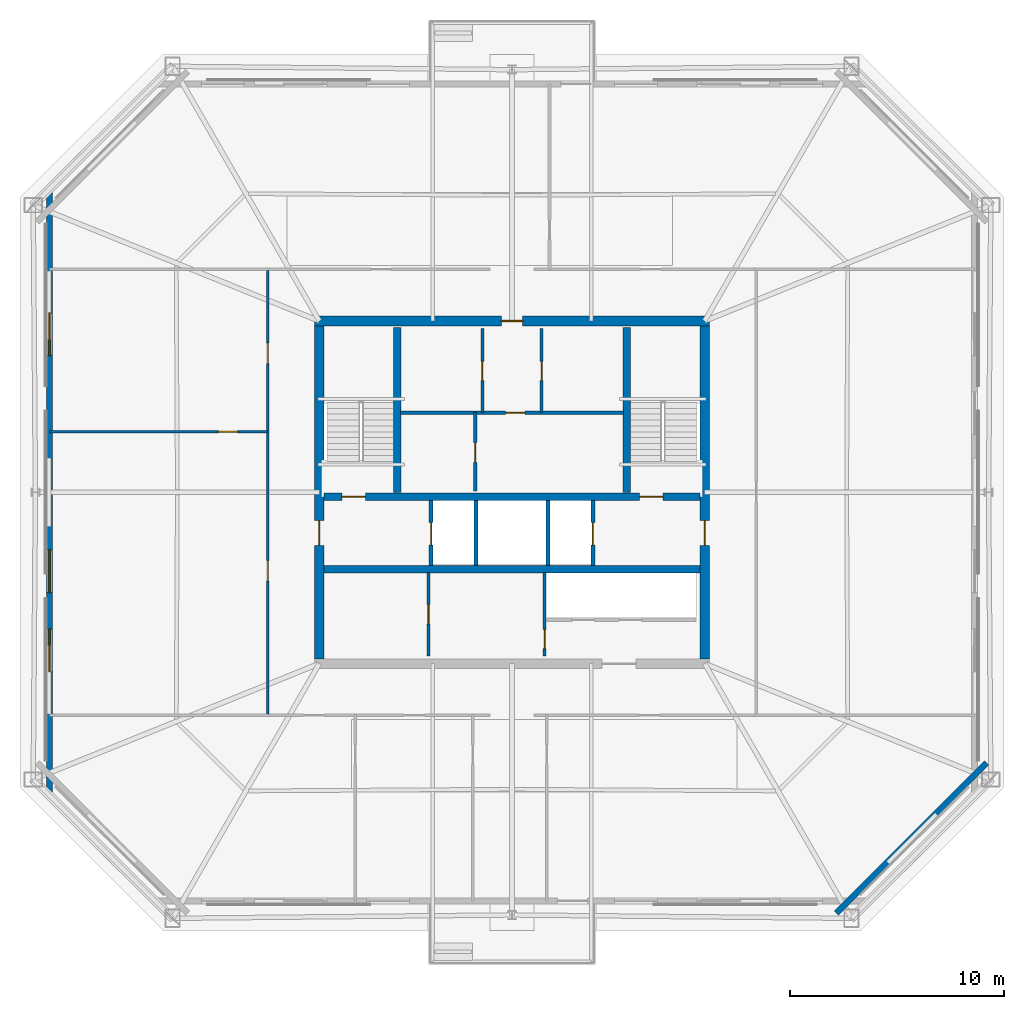
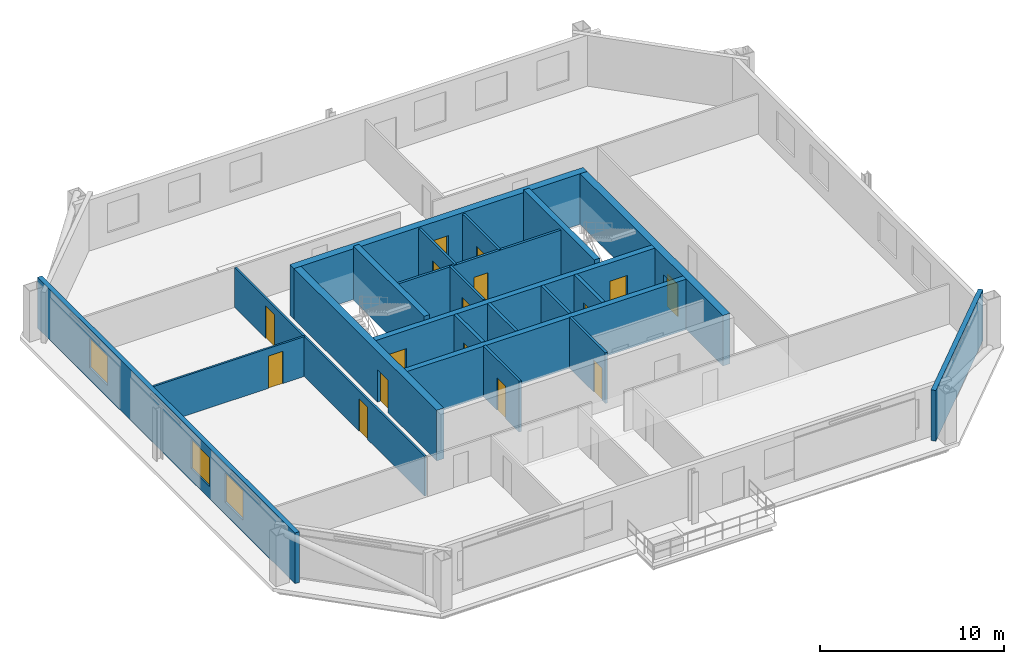
# One storey, part 3 of 7: 21 walls, 16 doors, 3 windows, 19 openings.
"""IFC4 building model written with IfcOpenShell, lengths in metres."""

from ifc_helpers import new_model, si_unit, direction, frame, frame_2d, origin, place, context, subcontext, project, spatial, rectangle, extrude, material, layer, layer_set, type_object, element, fill, save


model = new_model("IFC4")

# Units and contexts
model_context = context("Model", 3, precision=1e-05, world=origin(), true_north=direction((0.0, 1.0)))
body_context = subcontext(model_context, "Body", "Model", "MODEL_VIEW")
ifc_project = project(units=[si_unit("LENGTHUNIT", "METRE"), si_unit("AREAUNIT", "SQUARE_METRE"), si_unit("VOLUMEUNIT", "CUBIC_METRE"), si_unit("PLANEANGLEUNIT", "RADIAN"), si_unit("MASSUNIT", "GRAM", prefix="KILO")], contexts=[model_context])

# Site, building, storey
site_placement = place(None, origin())
site = spatial("IfcSite", under=ifc_project, at=site_placement, CompositionType="ELEMENT")
building_placement = place(site_placement, origin())
building = spatial("IfcBuilding", under=site, at=building_placement, Name="Caelvoria Tower", CompositionType="ELEMENT")
storey_placement = place(building_placement, frame((0.0, 0.0, 187.800048828125)))
storey = spatial("IfcBuildingStorey", under=building, at=storey_placement, Name="L49", CompositionType="ELEMENT", Elevation=187.800048828125)

# Wall, openings, doors
ifc_material_1 = material(Name="Concrete C50/60", Category="concrete")
ifc_layer_1 = layer(ifc_material_1, 0.35009765625, Name="Concrete C50/60")
ifc_layer_set_1 = layer_set([ifc_layer_1], Name="Core Internal Shear Wall 350 - Concrete C50/60")
wall_type_1 = type_object("IfcWallType", Name="Core Internal Shear Wall 350", PredefinedType="SHEAR", material=ifc_layer_set_1)
wall_1_placement = place(storey_placement, frame((37.22509765625, 31.800048828125, 0.0), z_axis=(0.0, 0.0, 1.0), x_axis=(1.0, 0.0, 0.0)))
wall_1 = element("IfcWall", 1, at=wall_1_placement, inside=storey, type_object=wall_type_1, Name="Core Shear Wall L49 M1", PredefinedType="SHEAR", context=body_context, shape_type="SweptSolid", body=[
    extrude(rectangle(XDim=17.5498046875, YDim=0.35009765625, at=frame_2d((8.77490234375, 0.0))), origin(), (0.0, 0.0, 1.0), 3.35986328125),
])
opening_1_placement = place(wall_1_placement, frame((0.824951171875, 0.0, 0.0)))
opening_1 = element("IfcOpeningElement", 2, at=opening_1_placement, cuts=wall_1, Name="Opening ID-01", PredefinedType="OPENING", context=body_context, shape_type="SweptSolid", body=[
    extrude(rectangle(XDim=1.10009765625, YDim=2.14990234375, at=frame_2d((0.550048828125, 1.074951171875))), frame((0.0, 0.18505859375, 0.0), z_axis=(0.0, -1.0, 0.0), x_axis=(1.0, 0.0, 0.0)), (0.0, 0.0, 1.0), 0.3701171875),
])
opening_2_placement = place(wall_1_placement, frame((14.72509765625, 0.0, 0.0)))
opening_2 = element("IfcOpeningElement", 3, at=opening_2_placement, cuts=wall_1, Name="Opening ID-01", PredefinedType="OPENING", context=body_context, shape_type="SweptSolid", body=[
    extrude(rectangle(XDim=1.10009765625, YDim=2.14990234375, at=frame_2d((0.550048828125, 1.074951171875))), frame((0.0, 0.18505859375, 0.0), z_axis=(0.0, -1.0, 0.0), x_axis=(1.0, 0.0, 0.0)), (0.0, 0.0, 1.0), 0.3701171875),
])
ifc_material_2 = material(Name="Painted Hollow Steel Fire Door", Category="steel")
door_type_1 = type_object("IfcDoorType", Name="Fire Door FD90S 1100x2150", OperationType="NOTDEFINED", PredefinedType="DOOR", material=ifc_material_2)
door_1_placement = place(opening_1_placement, origin())
door_1 = element("IfcDoor", 4, at=door_1_placement, inside=storey, type_object=door_type_1, Name="Core Door DR-L49-ST1", OperationType="SINGLE_SWING_LEFT", OverallHeight=2.14990234375, OverallWidth=1.10009765625, PredefinedType="DOOR", context=body_context, shape_type="SweptSolid", body=[
    extrude(rectangle(XDim=1.10009765625, YDim=2.14990234375, at=frame_2d((0.550048828125, 1.074951171875))), frame((0.0, 0.02490234375, 0.0), z_axis=(0.0, -1.0, 0.0), x_axis=(1.0, 0.0, 0.0)), (0.0, 0.0, 1.0), 0.050048828125),
])
fill(opening_1, door_1)
door_2_placement = place(opening_2_placement, origin())
door_2 = element("IfcDoor", 5, at=door_2_placement, inside=storey, type_object=door_type_1, Name="Core Door DR-L49-ST2", OperationType="SINGLE_SWING_RIGHT", OverallHeight=2.14990234375, OverallWidth=1.10009765625, PredefinedType="DOOR", context=body_context, shape_type="SweptSolid", body=[
    extrude(rectangle(XDim=1.10009765625, YDim=2.14990234375, at=frame_2d((0.550048828125, 1.074951171875))), frame((0.0, 0.02490234375, 0.0), z_axis=(0.0, -1.0, 0.0), x_axis=(1.0, 0.0, 0.0)), (0.0, 0.0, 1.0), 0.050048828125),
])
fill(opening_2, door_2)

# Walls
wall_2_placement = place(storey_placement, frame((37.22509765625, 28.39990234375, 0.0), z_axis=(0.0, 0.0, 1.0), x_axis=(1.0, 0.0, 0.0)))
element("IfcWall", 6, at=wall_2_placement, inside=storey, type_object=wall_type_1, Name="Core Shear Wall L49 M2", PredefinedType="SHEAR", context=body_context, shape_type="SweptSolid", body=[
    extrude(rectangle(XDim=17.5498046875, YDim=0.35009765625, at=frame_2d((8.77490234375, 0.0))), origin(), (0.0, 0.0, 1.0), 3.35986328125),
])
for number, where, z_axis, x_axis, name in (
    (7, (40.64990234375, 32.0, 0.0), (0.0, 0.0, 1.0), (0.0, 1.0, 0.0), "Interior Partition IW-L49-ST1E"),
    (8, (51.35009765625, 32.0, 0.0), (0.0, 0.0, 1.0), (0.0, 1.0, 0.0), "Interior Partition IW-L49-ST2W"),
):
    element("IfcWall", number, at=place(storey_placement, frame(where, z_axis=z_axis, x_axis=x_axis)), inside=storey, type_object=wall_type_1, Name=name, PredefinedType="SHEAR", context=body_context, shape_type="SweptSolid", body=[
        extrude(rectangle(XDim=7.699951171875, YDim=0.35009765625, at=frame_2d((3.85009765625, 0.0))), origin(), (0.0, 0.0, 1.0), 3.599853515625),
    ])

# Wall, opening, door
ifc_material_3 = material(Name="Double Gypsum Board on Steel Stud", Category="steel")
ifc_layer_2 = layer(ifc_material_3, 0.14990234375, Name="Double Gypsum Board on Steel Stud")
ifc_layer_set_2 = layer_set([ifc_layer_2], Name="Core Service Acoustic Partition Wall 150 - Double Gypsum Board on Steel Stud")
wall_type_2 = type_object("IfcWallType", Name="Core Service Acoustic Partition Wall 150", PredefinedType="PARTITIONING", material=ifc_layer_set_2)
wall_3_placement = place(storey_placement, frame((44.6201171875, 35.719970703125, 0.0), z_axis=(0.0, 0.0, 1.0), x_axis=(0.0, 1.0, 0.0)))
wall_3 = element("IfcWall", 9, at=wall_3_placement, inside=storey, type_object=wall_type_2, Name="Interior Partition IW-L49-C0L", PredefinedType="PARTITIONING", context=body_context, shape_type="SweptSolid", body=[
    extrude(rectangle(XDim=3.929931640625, YDim=0.14990234375, at=frame_2d((1.96484375, 0.0))), origin(), (0.0, 0.0, 1.0), 3.375),
])
opening_3_placement = place(wall_3_placement, frame((1.5, 0.0, 0.0)))
opening_3 = element("IfcOpeningElement", 10, at=opening_3_placement, cuts=wall_3, Name="Opening ID-06", PredefinedType="OPENING", context=body_context, shape_type="SweptSolid", body=[
    extrude(rectangle(XDim=0.89990234375, YDim=2.14990234375, at=frame_2d((0.449951171875, 1.074951171875))), frame((0.0, 0.0849609375, 0.0), z_axis=(0.0, -1.0, 0.0), x_axis=(1.0, 0.0, 0.0)), (0.0, 0.0, 1.0), 0.169921875),
])
ifc_material_4 = material(Name="Engineered Andean Oak Veneer Door", Category="wood")
door_type_2 = type_object("IfcDoorType", Name="Interior Timber Door 900x2150", OperationType="NOTDEFINED", PredefinedType="DOOR", material=ifc_material_4)
door_3_placement = place(opening_3_placement, origin())
door_3 = element("IfcDoor", 11, at=door_3_placement, inside=storey, type_object=door_type_2, Name="Interior Door DR-L49-C01", OperationType="SINGLE_SWING_LEFT", OverallHeight=2.14990234375, OverallWidth=0.89990234375, PredefinedType="DOOR", context=body_context, shape_type="SweptSolid", body=[
    extrude(rectangle(XDim=0.89990234375, YDim=2.14990234375, at=frame_2d((0.449951171875, 1.074951171875))), frame((0.0, 0.02490234375, 0.0), z_axis=(0.0, -1.0, 0.0), x_axis=(1.0, 0.0, 0.0)), (0.0, 0.0, 1.0), 0.050048828125),
])
fill(opening_3, door_3)

wall_4_placement = place(storey_placement, frame((47.3798828125, 35.719970703125, 0.0), z_axis=(0.0, 0.0, 1.0), x_axis=(0.0, 1.0, 0.0)))
wall_4 = element("IfcWall", 12, at=wall_4_placement, inside=storey, type_object=wall_type_2, Name="Interior Partition IW-L49-C0R", PredefinedType="PARTITIONING", context=body_context, shape_type="SweptSolid", body=[
    extrude(rectangle(XDim=3.929931640625, YDim=0.14990234375, at=frame_2d((1.96484375, 0.0))), origin(), (0.0, 0.0, 1.0), 3.375),
])
opening_4_placement = place(wall_4_placement, frame((1.5, 0.0, 0.0)))
opening_4 = element("IfcOpeningElement", 13, at=opening_4_placement, cuts=wall_4, Name="Opening ID-06", PredefinedType="OPENING", context=body_context, shape_type="SweptSolid", body=[
    extrude(rectangle(XDim=0.89990234375, YDim=2.14990234375, at=frame_2d((0.449951171875, 1.074951171875))), frame((0.0, 0.0849609375, 0.0), z_axis=(0.0, -1.0, 0.0), x_axis=(1.0, 0.0, 0.0)), (0.0, 0.0, 1.0), 0.169921875),
])
door_4_placement = place(opening_4_placement, origin())
door_4 = element("IfcDoor", 14, at=door_4_placement, inside=storey, type_object=door_type_2, Name="Interior Door DR-L49-C02", OperationType="SINGLE_SWING_RIGHT", OverallHeight=2.14990234375, OverallWidth=0.89990234375, PredefinedType="DOOR", context=body_context, shape_type="SweptSolid", body=[
    extrude(rectangle(XDim=0.89990234375, YDim=2.14990234375, at=frame_2d((0.449951171875, 1.074951171875))), frame((0.0, 0.02490234375, 0.0), z_axis=(0.0, -1.0, 0.0), x_axis=(1.0, 0.0, 0.0)), (0.0, 0.0, 1.0), 0.050048828125),
])
fill(opening_4, door_4)

wall_5_placement = place(storey_placement, frame((44.280029296875, 32.050048828125, 0.0), z_axis=(0.0, 0.0, 1.0), x_axis=(0.0, 1.0, 0.0)))
wall_5 = element("IfcWall", 15, at=wall_5_placement, inside=storey, type_object=wall_type_2, Name="Interior Partition IW-L49-C0M", PredefinedType="PARTITIONING", context=body_context, shape_type="SweptSolid", body=[
    extrude(rectangle(XDim=3.669921875, YDim=0.14990234375, at=frame_2d((1.8349609375, 0.0))), origin(), (0.0, 0.0, 1.0), 3.375),
])
opening_5_placement = place(wall_5_placement, frame((1.35009765625, 0.0, 0.0)))
opening_5 = element("IfcOpeningElement", 16, at=opening_5_placement, cuts=wall_5, Name="Opening ID-07", PredefinedType="OPENING", context=body_context, shape_type="SweptSolid", body=[
    extrude(rectangle(XDim=0.919921875, YDim=2.14990234375, at=frame_2d((0.4599609375, 1.074951171875))), frame((0.0, 0.0849609375, 0.0), z_axis=(0.0, -1.0, 0.0), x_axis=(1.0, 0.0, 0.0)), (0.0, 0.0, 1.0), 0.169921875),
])
ifc_material_5 = material(Name="Engineered Andean Oak Accessible Door", Category="wood")
door_type_3 = type_object("IfcDoorType", Name="Accessible WC Door 950x2150", OperationType="NOTDEFINED", PredefinedType="DOOR", material=ifc_material_5)
door_5_placement = place(opening_5_placement, origin())
door_5 = element("IfcDoor", 17, at=door_5_placement, inside=storey, type_object=door_type_3, Name="Interior Door DR-L49-C05", OperationType="SINGLE_SWING_LEFT", OverallHeight=2.14990234375, OverallWidth=0.919921875, PredefinedType="DOOR", context=body_context, shape_type="SweptSolid", body=[
    extrude(rectangle(XDim=0.919921875, YDim=2.14990234375, at=frame_2d((0.4599609375, 1.074951171875))), frame((0.0, 0.02490234375, 0.0), z_axis=(0.0, -1.0, 0.0), x_axis=(1.0, 0.0, 0.0)), (0.0, 0.0, 1.0), 0.050048828125),
])
fill(opening_5, door_5)

wall_6_placement = place(storey_placement, frame((40.800048828125, 35.719970703125, 0.0), z_axis=(0.0, 0.0, 1.0), x_axis=(1.0, 0.0, 0.0)))
wall_6 = element("IfcWall", 18, at=wall_6_placement, inside=storey, type_object=wall_type_2, Name="Interior Partition IW-L49-C0H", PredefinedType="PARTITIONING", context=body_context, shape_type="SweptSolid", body=[
    extrude(rectangle(XDim=10.39990234375, YDim=0.14990234375, at=frame_2d((5.199951171875, 0.0))), origin(), (0.0, 0.0, 1.0), 3.375),
])
opening_6_placement = place(wall_6_placement, frame((4.89990234375, 0.0, 0.0)))
opening_6 = element("IfcOpeningElement", 19, at=opening_6_placement, cuts=wall_6, Name="Opening ID-04", PredefinedType="OPENING", context=body_context, shape_type="SweptSolid", body=[
    extrude(rectangle(XDim=0.89990234375, YDim=2.14990234375, at=frame_2d((0.449951171875, 1.074951171875))), frame((0.0, 0.0849609375, 0.0), z_axis=(0.0, -1.0, 0.0), x_axis=(1.0, 0.0, 0.0)), (0.0, 0.0, 1.0), 0.169921875),
])
ifc_material_6 = material(Name="Acoustic Timber Fire Door", Category="wood")
door_type_4 = type_object("IfcDoorType", Name="Fire Door FD30S 900x2150", OperationType="NOTDEFINED", PredefinedType="DOOR", material=ifc_material_6)
door_6_placement = place(opening_6_placement, origin())
door_6 = element("IfcDoor", 20, at=door_6_placement, inside=storey, type_object=door_type_4, Name="Interior Door DR-L49-C04", OperationType="SINGLE_SWING_RIGHT", OverallHeight=2.14990234375, OverallWidth=0.89990234375, PredefinedType="DOOR", context=body_context, shape_type="SweptSolid", body=[
    extrude(rectangle(XDim=0.89990234375, YDim=2.14990234375, at=frame_2d((0.449951171875, 1.074951171875))), frame((0.0, 0.02490234375, 0.0), z_axis=(0.0, -1.0, 0.0), x_axis=(1.0, 0.0, 0.0)), (0.0, 0.0, 1.0), 0.050048828125),
])
fill(opening_6, door_6)

wall_7_placement = place(storey_placement, frame((42.10009765625, 24.35009765625, 0.0), z_axis=(0.0, 0.0, 1.0), x_axis=(0.0, 1.0, 0.0)))
wall_7 = element("IfcWall", 21, at=wall_7_placement, inside=storey, type_object=wall_type_2, Name="Interior Partition IW-L49-RECL-MID", PredefinedType="PARTITIONING", context=body_context, shape_type="SweptSolid", body=[
    extrude(rectangle(XDim=3.89990234375, YDim=0.14990234375, at=frame_2d((1.949951171875, 0.0))), origin(), (0.0, 0.0, 1.0), 3.375),
])
opening_7_placement = place(wall_7_placement, frame((1.5, 0.0, 0.0)))
opening_7 = element("IfcOpeningElement", 22, at=opening_7_placement, cuts=wall_7, Name="Opening ID-06", PredefinedType="OPENING", context=body_context, shape_type="SweptSolid", body=[
    extrude(rectangle(XDim=0.89990234375, YDim=2.14990234375, at=frame_2d((0.449951171875, 1.074951171875))), frame((0.0, 0.0849609375, 0.0), z_axis=(0.0, -1.0, 0.0), x_axis=(1.0, 0.0, 0.0)), (0.0, 0.0, 1.0), 0.169921875),
])
door_7_placement = place(opening_7_placement, origin())
door_7 = element("IfcDoor", 23, at=door_7_placement, inside=storey, type_object=door_type_2, Name="Interior Door DR-L49-RECL12", OperationType="SINGLE_SWING_LEFT", OverallHeight=2.14990234375, OverallWidth=0.89990234375, PredefinedType="DOOR", context=body_context, shape_type="SweptSolid", body=[
    extrude(rectangle(XDim=0.89990234375, YDim=2.14990234375, at=frame_2d((0.449951171875, 1.074951171875))), frame((0.0, 0.02490234375, 0.0), z_axis=(0.0, -1.0, 0.0), x_axis=(1.0, 0.0, 0.0)), (0.0, 0.0, 1.0), 0.050048828125),
])
fill(opening_7, door_7)

wall_8_placement = place(storey_placement, frame((47.52001953125, 24.35009765625, 0.0), z_axis=(0.0, 0.0, 1.0), x_axis=(0.0, 1.0, 0.0)))
wall_8 = element("IfcWall", 24, at=wall_8_placement, inside=storey, type_object=wall_type_2, Name="Interior Partition IW-L49-RECL2E", PredefinedType="PARTITIONING", context=body_context, shape_type="SweptSolid", body=[
    extrude(rectangle(XDim=3.89990234375, YDim=0.14990234375, at=frame_2d((1.949951171875, 0.0))), origin(), (0.0, 0.0, 1.0), 3.375),
])
opening_8_placement = place(wall_8_placement, frame((0.35009765625, 0.0, 0.0)))
opening_8 = element("IfcOpeningElement", 25, at=opening_8_placement, cuts=wall_8, Name="Opening ID-04", PredefinedType="OPENING", context=body_context, shape_type="SweptSolid", body=[
    extrude(rectangle(XDim=0.89990234375, YDim=2.14990234375, at=frame_2d((0.449951171875, 1.074951171875))), frame((0.0, 0.0849609375, 0.0), z_axis=(0.0, -1.0, 0.0), x_axis=(1.0, 0.0, 0.0)), (0.0, 0.0, 1.0), 0.169921875),
])
door_8_placement = place(opening_8_placement, origin())
door_8 = element("IfcDoor", 26, at=door_8_placement, inside=storey, type_object=door_type_4, Name="Interior Door DR-L49-RECL2", OperationType="SINGLE_SWING_RIGHT", OverallHeight=2.14990234375, OverallWidth=0.89990234375, PredefinedType="DOOR", context=body_context, shape_type="SweptSolid", body=[
    extrude(rectangle(XDim=0.89990234375, YDim=2.14990234375, at=frame_2d((0.449951171875, 1.074951171875))), frame((0.0, 0.02490234375, 0.0), z_axis=(0.0, -1.0, 0.0), x_axis=(1.0, 0.0, 0.0)), (0.0, 0.0, 1.0), 0.050048828125),
])
fill(opening_8, door_8)

# Wall
ifc_material_7 = material(Name="Precast Concrete C40/50 with Bronze Cladding", Category="concrete")
ifc_layer_3 = layer(ifc_material_7, 0.280029296875, Name="Precast Concrete C40/50 with Bronze Cladding")
ifc_layer_set_3 = layer_set([ifc_layer_3], Name="Exterior Precast Concrete C40/50 Bronze-Clad Facade Wall 280 - Precast Concrete C40/50 with Bronze Cladding")
wall_type_3 = type_object("IfcWallType", Name="Exterior Precast Concrete C40/50 Bronze-Clad Facade Wall 280", PredefinedType="STANDARD", material=ifc_layer_set_3)
wall_9_placement = place(storey_placement, frame((61.154541015625, 12.34619140625, 0.0), z_axis=(0.0, 0.0, 1.0), x_axis=(0.707106781187, 0.707106781187, 0.0)))
element("IfcWall", 27, at=wall_9_placement, inside=storey, type_object=wall_type_3, Name="Exterior Facade Wall L49-E1", PredefinedType="STANDARD", context=body_context, shape_type="SweptSolid", body=[
    extrude(rectangle(XDim=9.9267578125, YDim=0.280029296875, at=frame_2d((4.96337890625, 0.0))), origin(), (0.0, 0.0, 1.0), 3.375),
])

# Wall, openings, windows
wall_10_placement = place(storey_placement, frame((24.39990234375, 46.02001953125, 0.0), z_axis=(0.0, 0.0, 1.0), x_axis=(0.0, -1.0, 0.0)))
wall_10 = element("IfcWall", 28, at=wall_10_placement, inside=storey, type_object=wall_type_3, Name="Exterior Facade Wall L49-E6", PredefinedType="STANDARD", context=body_context, shape_type="SweptSolid", body=[
    extrude(rectangle(XDim=28.0400390625, YDim=0.280029296875, at=frame_2d((14.02001953125, 0.0))), origin(), (0.0, 0.0, 1.0), 3.375),
])
opening_9_placement = place(wall_10_placement, frame((5.63720703125, 0.0, 0.800048828125)))
opening_9 = element("IfcOpeningElement", 29, at=opening_9_placement, cuts=wall_10, Name="Opening WN-01", PredefinedType="OPENING", context=body_context, shape_type="SweptSolid", body=[
    extrude(rectangle(XDim=2.0, YDim=1.949951171875, at=frame_2d((1.0, 0.97509765625))), frame((0.0, 0.14990234375, 0.0), z_axis=(0.0, -1.0, 0.0), x_axis=(1.0, 0.0, 0.0)), (0.0, 0.0, 1.0), 0.300048828125),
])
opening_10_placement = place(wall_10_placement, frame((16.71142578125, 0.0, 0.800048828125)))
opening_10 = element("IfcOpeningElement", 30, at=opening_10_placement, cuts=wall_10, Name="Opening WN-01", PredefinedType="OPENING", context=body_context, shape_type="SweptSolid", body=[
    extrude(rectangle(XDim=2.0, YDim=1.949951171875, at=frame_2d((1.0, 0.97509765625))), frame((0.0, 0.14990234375, 0.0), z_axis=(0.0, -1.0, 0.0), x_axis=(1.0, 0.0, 0.0)), (0.0, 0.0, 1.0), 0.300048828125),
])
opening_11_placement = place(wall_10_placement, frame((20.40283203125, 0.0, 0.800048828125)))
opening_11 = element("IfcOpeningElement", 31, at=opening_11_placement, cuts=wall_10, Name="Opening WN-01", PredefinedType="OPENING", context=body_context, shape_type="SweptSolid", body=[
    extrude(rectangle(XDim=2.0, YDim=1.949951171875, at=frame_2d((1.0, 0.97509765625))), frame((0.0, 0.14990234375, 0.0), z_axis=(0.0, -1.0, 0.0), x_axis=(1.0, 0.0, 0.0)), (0.0, 0.0, 1.0), 0.300048828125),
])
ifc_material_8 = material(Name="Low-E Tinted Glass in Bronze Aluminium Frame", Category="aluminium")
window_type = type_object("IfcWindowType", Name="Tower Office Vision Window 2000x1950", PartitioningType="SINGLE_PANEL", PredefinedType="WINDOW", material=ifc_material_8)
window_1_placement = place(opening_9_placement, origin())
window_1 = element("IfcWindow", 32, at=window_1_placement, inside=storey, type_object=window_type, Name="Facade Window L49-E6-01", OverallHeight=1.949951171875, OverallWidth=2.0, PartitioningType="SINGLE_PANEL", PredefinedType="WINDOW", context=body_context, shape_type="SweptSolid", body=[
    extrude(rectangle(XDim=2.0, YDim=1.949951171875, at=frame_2d((1.0, 0.97509765625))), frame((0.0, 0.030029296875, 0.0), z_axis=(0.0, -1.0, 0.0), x_axis=(1.0, 0.0, 0.0)), (0.0, 0.0, 1.0), 0.06005859375),
])
fill(opening_9, window_1)
window_2_placement = place(opening_10_placement, origin())
window_2 = element("IfcWindow", 33, at=window_2_placement, inside=storey, type_object=window_type, Name="Facade Window L49-E6-04", OverallHeight=1.949951171875, OverallWidth=2.0, PartitioningType="SINGLE_PANEL", PredefinedType="WINDOW", context=body_context, shape_type="SweptSolid", body=[
    extrude(rectangle(XDim=2.0, YDim=1.949951171875, at=frame_2d((1.0, 0.97509765625))), frame((0.0, 0.030029296875, 0.0), z_axis=(0.0, -1.0, 0.0), x_axis=(1.0, 0.0, 0.0)), (0.0, 0.0, 1.0), 0.06005859375),
])
fill(opening_10, window_2)
window_3_placement = place(opening_11_placement, origin())
window_3 = element("IfcWindow", 34, at=window_3_placement, inside=storey, type_object=window_type, Name="Facade Window L49-E6-05", OverallHeight=1.949951171875, OverallWidth=2.0, PartitioningType="SINGLE_PANEL", PredefinedType="WINDOW", context=body_context, shape_type="SweptSolid", body=[
    extrude(rectangle(XDim=2.0, YDim=1.949951171875, at=frame_2d((1.0, 0.97509765625))), frame((0.0, 0.030029296875, 0.0), z_axis=(0.0, -1.0, 0.0), x_axis=(1.0, 0.0, 0.0)), (0.0, 0.0, 1.0), 0.06005859375),
])
fill(opening_11, window_3)

# Walls
ifc_material_9 = material(Name="Concrete Block and Fireboard Assembly", Category="concrete")
ifc_layer_4 = layer(ifc_material_9, 0.179931640625, Name="Concrete Block and Fireboard Assembly")
ifc_layer_set_4 = layer_set([ifc_layer_4], Name="Fire-Rated Hoistway Partition Wall 180 - Concrete Block and Fireboard Assembly")
wall_type_4 = type_object("IfcWallType", Name="Fire-Rated Hoistway Partition Wall 180", PredefinedType="PARTITIONING", material=ifc_layer_set_4)
for number, where, z_axis, x_axis, name in (
    (35, (44.320068359375, 28.580078125, 0.0), (0.0, 0.0, 1.0), (0.0, 1.0, 0.0), "Interior Partition IW-L49-SV1W"),
    (36, (47.679931640625, 28.580078125, 0.0), (0.0, 0.0, 1.0), (0.0, 1.0, 0.0), "Interior Partition IW-L49-SV1E"),
):
    element("IfcWall", number, at=place(storey_placement, frame(where, z_axis=z_axis, x_axis=x_axis)), inside=storey, type_object=wall_type_4, Name=name, PredefinedType="PARTITIONING", context=body_context, shape_type="SweptSolid", body=[
        extrude(rectangle(XDim=3.0400390625, YDim=0.179931640625, at=frame_2d((1.52001953125, 0.0))), origin(), (0.0, 0.0, 1.0), 3.375),
    ])

# Wall, opening, door
ifc_layer_5 = layer(ifc_material_9, 0.199951171875, Name="Concrete Block and Fireboard Assembly")
ifc_layer_set_5 = layer_set([ifc_layer_5], Name="Fire-Rated Shaft and Core Partition Wall 200 - Concrete Block and Fireboard Assembly")
wall_type_5 = type_object("IfcWallType", Name="Fire-Rated Shaft and Core Partition Wall 200", PredefinedType="PARTITIONING", material=ifc_layer_set_5)
wall_11_placement = place(storey_placement, frame((42.219970703125, 28.580078125, 0.0), z_axis=(0.0, 0.0, 1.0), x_axis=(0.0, 1.0, 0.0)))
wall_11 = element("IfcWall", 37, at=wall_11_placement, inside=storey, type_object=wall_type_5, Name="Interior Partition IW-L49-LF1W", PredefinedType="PARTITIONING", context=body_context, shape_type="SweptSolid", body=[
    extrude(rectangle(XDim=3.0400390625, YDim=0.199951171875, at=frame_2d((1.52001953125, 0.0))), origin(), (0.0, 0.0, 1.0), 3.375),
])
opening_12_placement = place(wall_11_placement, frame((0.949951171875, 0.0, 0.0)))
opening_12 = element("IfcOpeningElement", 38, at=opening_12_placement, cuts=wall_11, Name="Opening LD-01", PredefinedType="OPENING", context=body_context, shape_type="SweptSolid", body=[
    extrude(rectangle(XDim=1.050048828125, YDim=2.14990234375, at=frame_2d((0.52490234375, 1.074951171875))), frame((0.0, 0.10986328125, 0.0), z_axis=(0.0, -1.0, 0.0), x_axis=(1.0, 0.0, 0.0)), (0.0, 0.0, 1.0), 0.219970703125),
])
ifc_material_10 = material(Name="Brushed Bronze Stainless Sliding Landing Door", Category="aluminium")
door_type_5 = type_object("IfcDoorType", Name="Lift Landing Sliding Door 1100x2150", OperationType="NOTDEFINED", PredefinedType="DOOR", material=ifc_material_10)
door_9_placement = place(opening_12_placement, origin())
door_9 = element("IfcDoor", 39, at=door_9_placement, inside=storey, type_object=door_type_5, Name="Interior Door LD-L49-LF1", OperationType="SLIDING_TO_LEFT", OverallHeight=2.14990234375, OverallWidth=1.050048828125, PredefinedType="DOOR", context=body_context, shape_type="SweptSolid", body=[
    extrude(rectangle(XDim=1.050048828125, YDim=2.14990234375, at=frame_2d((0.52490234375, 1.074951171875))), frame((0.0, 0.02490234375, 0.0), z_axis=(0.0, -1.0, 0.0), x_axis=(1.0, 0.0, 0.0)), (0.0, 0.0, 1.0), 0.050048828125),
])
fill(opening_12, door_9)

wall_12_placement = place(storey_placement, frame((49.780029296875, 28.580078125, 0.0), z_axis=(0.0, 0.0, 1.0), x_axis=(0.0, 1.0, 0.0)))
wall_12 = element("IfcWall", 40, at=wall_12_placement, inside=storey, type_object=wall_type_5, Name="Interior Partition IW-L49-LF2E", PredefinedType="PARTITIONING", context=body_context, shape_type="SweptSolid", body=[
    extrude(rectangle(XDim=3.0400390625, YDim=0.199951171875, at=frame_2d((1.52001953125, 0.0))), origin(), (0.0, 0.0, 1.0), 3.375),
])
opening_13_placement = place(wall_12_placement, frame((0.949951171875, 0.0, 0.0)))
opening_13 = element("IfcOpeningElement", 41, at=opening_13_placement, cuts=wall_12, Name="Opening LD-01", PredefinedType="OPENING", context=body_context, shape_type="SweptSolid", body=[
    extrude(rectangle(XDim=1.050048828125, YDim=2.14990234375, at=frame_2d((0.52490234375, 1.074951171875))), frame((0.0, 0.10986328125, 0.0), z_axis=(0.0, -1.0, 0.0), x_axis=(1.0, 0.0, 0.0)), (0.0, 0.0, 1.0), 0.219970703125),
])
door_10_placement = place(opening_13_placement, origin())
door_10 = element("IfcDoor", 42, at=door_10_placement, inside=storey, type_object=door_type_5, Name="Interior Door LD-L49-LF2", OperationType="SLIDING_TO_RIGHT", OverallHeight=2.14990234375, OverallWidth=1.050048828125, PredefinedType="DOOR", context=body_context, shape_type="SweptSolid", body=[
    extrude(rectangle(XDim=1.050048828125, YDim=2.14990234375, at=frame_2d((0.52490234375, 1.074951171875))), frame((0.0, 0.02490234375, 0.0), z_axis=(0.0, -1.0, 0.0), x_axis=(1.0, 0.0, 0.0)), (0.0, 0.0, 1.0), 0.050048828125),
])
fill(opening_13, door_10)

ifc_material_11 = material(Name="Acoustic Gypsum Board on Light-Gauge Stud", Category="gypsum")
ifc_layer_6 = layer(ifc_material_11, 0.1201171875, Name="Acoustic Gypsum Board on Light-Gauge Stud")
ifc_layer_set_6 = layer_set([ifc_layer_6], Name="Tenant Suite Acoustic Partition Wall 120 - Acoustic Gypsum Board on Light-Gauge Stud")
wall_type_6 = type_object("IfcWallType", Name="Tenant Suite Acoustic Partition Wall 120", PredefinedType="PARTITIONING", material=ifc_layer_set_6)
wall_13_placement = place(storey_placement, frame((34.590087890625, 34.828857421875, 0.0), z_axis=(0.0, 0.0, 1.0), x_axis=(-1.0, 0.0, 0.0)))
wall_13 = element("IfcWall", 43, at=wall_13_placement, inside=storey, type_object=wall_type_6, Name="Interior Partition IW-L49-WD-00-0", PredefinedType="PARTITIONING", context=body_context, shape_type="SweptSolid", body=[
    extrude(rectangle(XDim=10.190185546875, YDim=0.1201171875, at=frame_2d((5.09521484375, 0.0))), origin(), (0.0, 0.0, 1.0), 2.655029296875),
])
opening_14_placement = place(wall_13_placement, frame((1.39990234375, 0.0, 0.0)))
opening_14 = element("IfcOpeningElement", 44, at=opening_14_placement, cuts=wall_13, Name="Opening ID-06", PredefinedType="OPENING", context=body_context, shape_type="SweptSolid", body=[
    extrude(rectangle(XDim=0.89990234375, YDim=2.14990234375, at=frame_2d((0.449951171875, 1.074951171875))), frame((0.0, 0.070068359375, 0.0), z_axis=(0.0, -1.0, 0.0), x_axis=(1.0, 0.0, 0.0)), (0.0, 0.0, 1.0), 0.14013671875),
])
door_11_placement = place(opening_14_placement, origin())
door_11 = element("IfcDoor", 45, at=door_11_placement, inside=storey, type_object=door_type_2, Name="Interior Door DR-L49-WM-00-0", OperationType="SINGLE_SWING_RIGHT", OverallHeight=2.14990234375, OverallWidth=0.89990234375, PredefinedType="DOOR", context=body_context, shape_type="SweptSolid", body=[
    extrude(rectangle(XDim=0.89990234375, YDim=2.14990234375, at=frame_2d((0.449951171875, 1.074951171875))), frame((0.0, 0.02490234375, 0.0), z_axis=(0.0, -1.0, 0.0), x_axis=(1.0, 0.0, 0.0)), (0.0, 0.0, 1.0), 0.050048828125),
])
fill(opening_14, door_11)

# Wall, openings, doors
wall_14_placement = place(storey_placement, frame((34.590087890625, 21.64990234375, 0.0), z_axis=(0.0, 0.0, 1.0), x_axis=(0.0, 1.0, 0.0)))
wall_14 = element("IfcWall", 46, at=wall_14_placement, inside=storey, type_object=wall_type_6, Name="Interior Partition IW-L49-WCW-0", PredefinedType="PARTITIONING", context=body_context, shape_type="SweptSolid", body=[
    extrude(rectangle(XDim=20.7001953125, YDim=0.1201171875, at=frame_2d((10.35009765625, 0.0))), origin(), (0.0, 0.0, 1.0), 2.655029296875),
])
opening_15_placement = place(wall_14_placement, frame((6.21435546875, 0.0, 0.0)))
opening_15 = element("IfcOpeningElement", 47, at=opening_15_placement, cuts=wall_14, Name="Opening ID-05", PredefinedType="OPENING", context=body_context, shape_type="SweptSolid", body=[
    extrude(rectangle(XDim=0.949951171875, YDim=2.14990234375, at=frame_2d((0.47509765625, 1.074951171875))), frame((0.0, 0.070068359375, 0.0), z_axis=(0.0, -1.0, 0.0), x_axis=(1.0, 0.0, 0.0)), (0.0, 0.0, 1.0), 0.14013671875),
])
opening_16_placement = place(wall_14_placement, frame((16.364501953125, 0.0, 0.0)))
opening_16 = element("IfcOpeningElement", 48, at=opening_16_placement, cuts=wall_14, Name="Opening ID-05", PredefinedType="OPENING", context=body_context, shape_type="SweptSolid", body=[
    extrude(rectangle(XDim=0.949951171875, YDim=2.14990234375, at=frame_2d((0.47509765625, 1.074951171875))), frame((0.0, 0.070068359375, 0.0), z_axis=(0.0, -1.0, 0.0), x_axis=(1.0, 0.0, 0.0)), (0.0, 0.0, 1.0), 0.14013671875),
])
door_type_6 = type_object("IfcDoorType", Name="Interior Timber Door 950x2150", OperationType="NOTDEFINED", PredefinedType="DOOR", material=ifc_material_4)
door_12_placement = place(opening_15_placement, origin())
door_12 = element("IfcDoor", 49, at=door_12_placement, inside=storey, type_object=door_type_6, Name="Interior Door DR-L49-WC-00-0", OperationType="SINGLE_SWING_RIGHT", OverallHeight=2.14990234375, OverallWidth=0.949951171875, PredefinedType="DOOR", context=body_context, shape_type="SweptSolid", body=[
    extrude(rectangle(XDim=0.949951171875, YDim=2.14990234375, at=frame_2d((0.47509765625, 1.074951171875))), frame((0.0, 0.02490234375, 0.0), z_axis=(0.0, -1.0, 0.0), x_axis=(1.0, 0.0, 0.0)), (0.0, 0.0, 1.0), 0.050048828125),
])
fill(opening_15, door_12)
door_13_placement = place(opening_16_placement, origin())
door_13 = element("IfcDoor", 50, at=door_13_placement, inside=storey, type_object=door_type_6, Name="Interior Door DR-L49-WC-01-0", OperationType="SINGLE_SWING_LEFT", OverallHeight=2.14990234375, OverallWidth=0.949951171875, PredefinedType="DOOR", context=body_context, shape_type="SweptSolid", body=[
    extrude(rectangle(XDim=0.949951171875, YDim=2.14990234375, at=frame_2d((0.47509765625, 1.074951171875))), frame((0.0, 0.02490234375, 0.0), z_axis=(0.0, -1.0, 0.0), x_axis=(1.0, 0.0, 0.0)), (0.0, 0.0, 1.0), 0.050048828125),
])
fill(opening_16, door_13)

# Wall, opening, door
ifc_layer_7 = layer(ifc_material_1, 0.449951171875, Name="Concrete C50/60")
ifc_layer_set_7 = layer_set([ifc_layer_7], Name="Upper Core Shear Wall 450 - Concrete C50/60")
wall_type_7 = type_object("IfcWallType", Name="Upper Core Shear Wall 450", PredefinedType="SHEAR", material=ifc_layer_set_7)
wall_15_placement = place(storey_placement, frame((36.77490234375, 40.0, 0.0), z_axis=(0.0, 0.0, 1.0), x_axis=(1.0, 0.0, 0.0)))
wall_15 = element("IfcWall", 51, at=wall_15_placement, inside=storey, type_object=wall_type_7, Name="Core Shear Wall L49 N", PredefinedType="SHEAR", context=body_context, shape_type="SweptSolid", body=[
    extrude(rectangle(XDim=18.4501953125, YDim=0.449951171875, at=frame_2d((9.22509765625, 0.0))), origin(), (0.0, 0.0, 1.0), 3.35986328125),
])
opening_17_placement = place(wall_15_placement, frame((8.72509765625, 0.0, 0.0)))
opening_17 = element("IfcOpeningElement", 52, at=opening_17_placement, cuts=wall_15, Name="Opening ID-03", PredefinedType="OPENING", context=body_context, shape_type="SweptSolid", body=[
    extrude(rectangle(XDim=1.0, YDim=2.14990234375, at=frame_2d((0.5, 1.074951171875))), frame((0.0, 0.23486328125, 0.0), z_axis=(0.0, -1.0, 0.0), x_axis=(1.0, 0.0, 0.0)), (0.0, 0.0, 1.0), 0.469970703125),
])
door_type_7 = type_object("IfcDoorType", Name="Fire Door FD60S 1000x2150", OperationType="NOTDEFINED", PredefinedType="DOOR", material=ifc_material_2)
door_14_placement = place(opening_17_placement, origin())
door_14 = element("IfcDoor", 53, at=door_14_placement, inside=storey, type_object=door_type_7, Name="Core Door DR-L49-WC-MAIN", OperationType="SINGLE_SWING_RIGHT", OverallHeight=2.14990234375, OverallWidth=1.0, PredefinedType="DOOR", context=body_context, shape_type="SweptSolid", body=[
    extrude(rectangle(XDim=1.0, YDim=2.14990234375, at=frame_2d((0.5, 1.074951171875))), frame((0.0, 0.02490234375, 0.0), z_axis=(0.0, -1.0, 0.0), x_axis=(1.0, 0.0, 0.0)), (0.0, 0.0, 1.0), 0.050048828125),
])
fill(opening_17, door_14)

wall_16_placement = place(storey_placement, frame((37.0, 24.22509765625, 0.0), z_axis=(0.0, 0.0, 1.0), x_axis=(0.0, 1.0, 0.0)))
wall_16 = element("IfcWall", 54, at=wall_16_placement, inside=storey, type_object=wall_type_7, Name="Core Shear Wall L49 W", PredefinedType="SHEAR", context=body_context, shape_type="SweptSolid", body=[
    extrude(rectangle(XDim=15.5498046875, YDim=0.449951171875, at=frame_2d((7.77490234375, 0.0))), origin(), (0.0, 0.0, 1.0), 3.35986328125),
])
opening_18_placement = place(wall_16_placement, frame((5.300048828125, 0.0, 0.0)))
opening_18 = element("IfcOpeningElement", 55, at=opening_18_placement, cuts=wall_16, Name="Opening ID-02", PredefinedType="OPENING", context=body_context, shape_type="SweptSolid", body=[
    extrude(rectangle(XDim=1.14990234375, YDim=2.14990234375, at=frame_2d((0.574951171875, 1.074951171875))), frame((0.0, 0.23486328125, 0.0), z_axis=(0.0, -1.0, 0.0), x_axis=(1.0, 0.0, 0.0)), (0.0, 0.0, 1.0), 0.469970703125),
])
door_type_8 = type_object("IfcDoorType", Name="Fire Door FD60S 1150x2150", OperationType="NOTDEFINED", PredefinedType="DOOR", material=ifc_material_2)
door_15_placement = place(opening_18_placement, origin())
door_15 = element("IfcDoor", 56, at=door_15_placement, inside=storey, type_object=door_type_8, Name="Core Door DR-L49-FFLW-OUT", OperationType="SINGLE_SWING_LEFT", OverallHeight=2.14990234375, OverallWidth=1.14990234375, PredefinedType="DOOR", context=body_context, shape_type="SweptSolid", body=[
    extrude(rectangle(XDim=1.14990234375, YDim=2.14990234375, at=frame_2d((0.574951171875, 1.074951171875))), frame((0.0, 0.02490234375, 0.0), z_axis=(0.0, -1.0, 0.0), x_axis=(1.0, 0.0, 0.0)), (0.0, 0.0, 1.0), 0.050048828125),
])
fill(opening_18, door_15)

wall_17_placement = place(storey_placement, frame((55.0, 24.22509765625, 0.0), z_axis=(0.0, 0.0, 1.0), x_axis=(0.0, 1.0, 0.0)))
wall_17 = element("IfcWall", 57, at=wall_17_placement, inside=storey, type_object=wall_type_7, Name="Core Shear Wall L49 E", PredefinedType="SHEAR", context=body_context, shape_type="SweptSolid", body=[
    extrude(rectangle(XDim=15.5498046875, YDim=0.449951171875, at=frame_2d((7.77490234375, 0.0))), origin(), (0.0, 0.0, 1.0), 3.35986328125),
])
opening_19_placement = place(wall_17_placement, frame((5.300048828125, 0.0, 0.0)))
opening_19 = element("IfcOpeningElement", 58, at=opening_19_placement, cuts=wall_17, Name="Opening ID-02", PredefinedType="OPENING", context=body_context, shape_type="SweptSolid", body=[
    extrude(rectangle(XDim=1.14990234375, YDim=2.14990234375, at=frame_2d((0.574951171875, 1.074951171875))), frame((0.0, 0.23486328125, 0.0), z_axis=(0.0, -1.0, 0.0), x_axis=(1.0, 0.0, 0.0)), (0.0, 0.0, 1.0), 0.469970703125),
])
door_16_placement = place(opening_19_placement, origin())
door_16 = element("IfcDoor", 59, at=door_16_placement, inside=storey, type_object=door_type_8, Name="Core Door DR-L49-FFLE-OUT", OperationType="SINGLE_SWING_RIGHT", OverallHeight=2.14990234375, OverallWidth=1.14990234375, PredefinedType="DOOR", context=body_context, shape_type="SweptSolid", body=[
    extrude(rectangle(XDim=1.14990234375, YDim=2.14990234375, at=frame_2d((0.574951171875, 1.074951171875))), frame((0.0, 0.02490234375, 0.0), z_axis=(0.0, -1.0, 0.0), x_axis=(1.0, 0.0, 0.0)), (0.0, 0.0, 1.0), 0.050048828125),
])
fill(opening_19, door_16)

save(model, "model.ifc")
